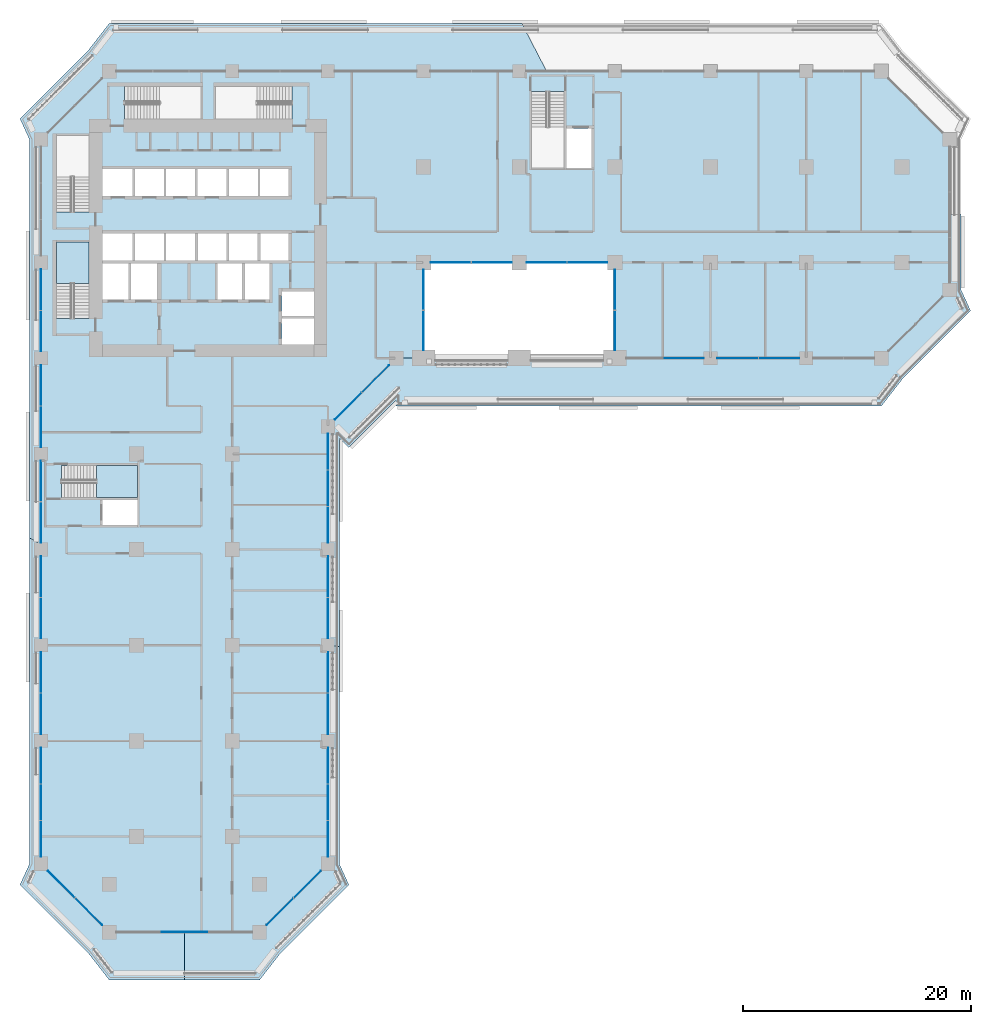
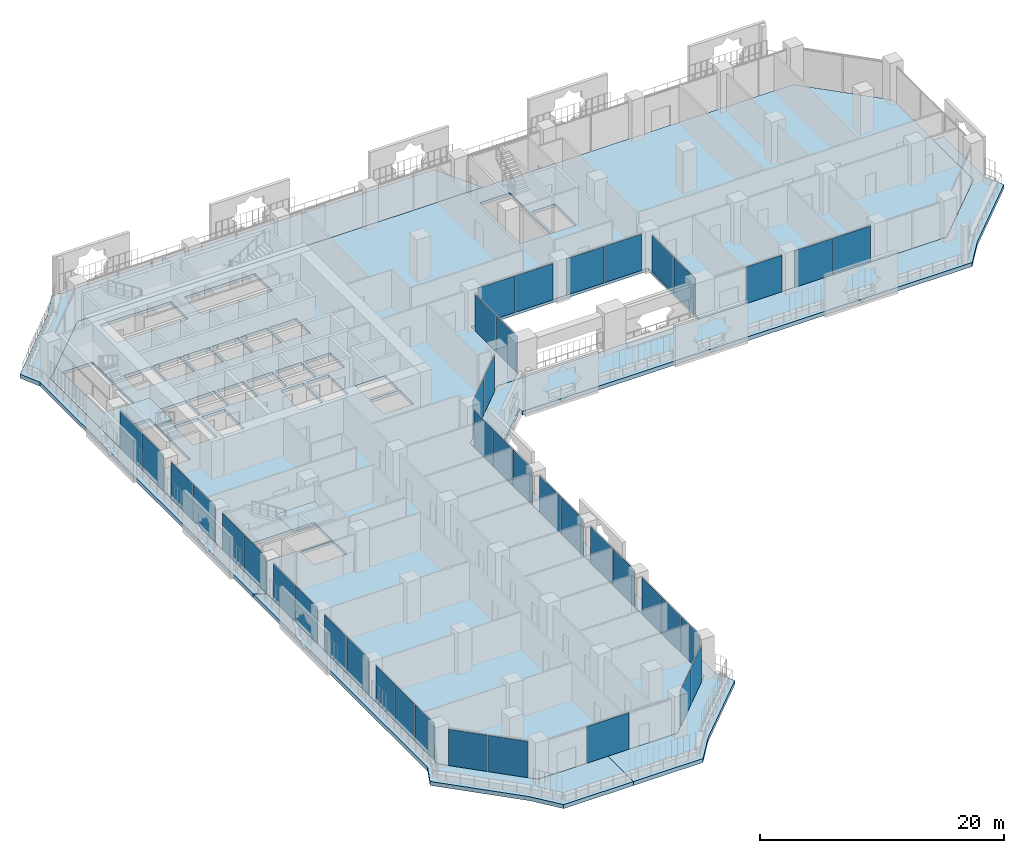
# One storey, part 11 of 28: 41 plates, 7 slabs, 12 elements without a shape of their own.
"""IFC4 building model written with IfcOpenShell, lengths in metres."""

import ifcopenshell
import ifcopenshell.guid

model = None  # the IFC model being written
_history = None  # IfcOwnerHistory: only IFC2X3 demands one
_inside = {}  # id of a spatial element -> (the spatial element, [elements in it])
_under = {}  # id of a project, library or spatial element -> (it, [spatial elements below it])
_declared = {}  # id of a project -> (the project, [libraries it declares])
_typed = {}  # id of a type object -> (the type object, [elements of that type])
_made_of = {}  # id of a material, layer set ... -> (it, [elements and type objects made of it])


def new_model(schema):
    """Start an empty IFC model of exactly this schema.

    Asked for "IFC4X3", IfcOpenShell would pick the latest addendum, in which some entities
    have other attributes; the version numbers below select the first issue.
    IFC2X3 requires an IfcOwnerHistory on every rooted entity: one is made here for all.
    """
    global model, _history
    if schema == "IFC4X3":
        model = ifcopenshell.file(schema_version=(4, 3, 0, 0))
    else:
        model = ifcopenshell.file(schema=schema)
    _inside.clear()
    _under.clear()
    _declared.clear()
    _typed.clear()
    _made_of.clear()
    _history = None
    if model.schema == "IFC2X3":
        org = make("IfcOrganization", Name="unknown")
        user = make(
            "IfcPersonAndOrganization",
            ThePerson=make("IfcPerson", FamilyName="unknown"),
            TheOrganization=org,
        )
        app = make(
            "IfcApplication",
            ApplicationDeveloper=org,
            Version="unknown",
            ApplicationFullName="unknown",
            ApplicationIdentifier="unknown",
        )
        _history = make(
            "IfcOwnerHistory",
            OwningUser=user,
            OwningApplication=app,
            ChangeAction="ADDED",
            CreationDate=0,
        )
    return model


def make(cls, **values):
    """One entity of the class cls with the attributes given. An attribute that is None is left unset."""
    return model.create_entity(
        cls, **{name: value for name, value in values.items() if value is not None}
    )


def rooted(cls, **values):
    """An entity with a GlobalId (a new one), such as an element, a storey or a relation."""
    return make(cls, GlobalId=ifcopenshell.guid.new(), OwnerHistory=_history, **values)


def si_unit(unit_type, name, prefix=None):
    """IfcSIUnit, for example si_unit("LENGTHUNIT", "METRE", prefix="MILLI")."""
    return make("IfcSIUnit", UnitType=unit_type, Prefix=prefix, Name=name)


def assignment(units):
    """IfcUnitAssignment: the units of a project."""
    return None if units is None else make("IfcUnitAssignment", Units=units)


def point(xyz):
    """IfcCartesianPoint."""
    return None if xyz is None else make("IfcCartesianPoint", Coordinates=xyz)


def direction(xyz):
    """IfcDirection."""
    return None if xyz is None else make("IfcDirection", DirectionRatios=xyz)


def frame(location, z_axis=None, x_axis=None):
    """IfcAxis2Placement3D, a coordinate frame: its origin and axes. An axis left out is left unset."""
    return make(
        "IfcAxis2Placement3D",
        Location=point(location),
        Axis=direction(z_axis),
        RefDirection=direction(x_axis),
    )


def frame_2d(location, x_axis=None):
    """IfcAxis2Placement2D, a coordinate frame in the plane: its origin and x axis."""
    return make(
        "IfcAxis2Placement2D", Location=point(location), RefDirection=direction(x_axis)
    )


def origin():
    """The frame at (0, 0, 0) with its axes left unset."""
    return frame((0.0, 0.0, 0.0))


def origin_2d():
    """The frame at (0, 0) in the plane with its x axis left unset."""
    return frame_2d((0.0, 0.0))


def place(relative_to, where):
    """IfcLocalPlacement: puts the frame where relative to a parent placement (None: the world)."""
    return make(
        "IfcLocalPlacement", PlacementRelTo=relative_to, RelativePlacement=where
    )


def context(
    kind, dimensions, precision=None, world=None, true_north=None, identifier=None
):
    """IfcGeometricRepresentationContext, for example the 3D "Model" context."""
    return make(
        "IfcGeometricRepresentationContext",
        ContextIdentifier=identifier,
        ContextType=kind,
        CoordinateSpaceDimension=dimensions,
        Precision=precision,
        WorldCoordinateSystem=world,
        TrueNorth=true_north,
    )


def subcontext(parent, identifier, kind, view, scale=None):
    """IfcGeometricRepresentationSubContext, for example "Body" below "Model"."""
    return make(
        "IfcGeometricRepresentationSubContext",
        ContextIdentifier=identifier,
        ContextType=kind,
        ParentContext=parent,
        TargetScale=scale,
        TargetView=view,
    )


def project(units=None, contexts=None):
    """IfcProject with its units and contexts."""
    return rooted(
        "IfcProject",
        Name="project",
        RepresentationContexts=contexts,
        UnitsInContext=assignment(units),
    )


def spatial(cls, under=None, at=None, **own):
    """A site, building, storey or space (cls), placed at a placement, below another one or the project."""
    s = rooted(cls, ObjectPlacement=at, **own)
    if under is not None:
        _under.setdefault(under.id(), (under, []))[1].append(s)
    return s


def polyline(points):
    """IfcPolyline through the points."""
    return make("IfcPolyline", Points=[point(p) for p in points])


def profile(cls, at=None, kind="AREA", **sizes):
    """A parametric profile (cls). Its sizes go by their IFC names, for example OverallWidth=200.0."""
    return make(cls, ProfileType=kind, Position=at, **sizes)


def rectangle(**sizes):
    """IfcRectangleProfileDef."""
    return profile("IfcRectangleProfileDef", **sizes)


def outline(outer, holes=None, kind="AREA"):
    """IfcArbitraryClosedProfileDef: a profile drawn as a closed curve; with holes, ...WithVoids."""
    if holes is None:
        return make("IfcArbitraryClosedProfileDef", ProfileType=kind, OuterCurve=outer)
    return make(
        "IfcArbitraryProfileDefWithVoids",
        ProfileType=kind,
        OuterCurve=outer,
        InnerCurves=holes,
    )


def extrude(swept, where, along, depth):
    """IfcExtrudedAreaSolid: the profile swept, set in the frame where, extruded along a direction by depth."""
    return make(
        "IfcExtrudedAreaSolid",
        SweptArea=swept,
        Position=where,
        ExtrudedDirection=direction(along),
        Depth=depth,
    )


def shape(context_of_items, identifier, shape_type, items):
    """IfcShapeRepresentation: the items that make up one representation, for example the "Body"."""
    return make(
        "IfcShapeRepresentation",
        ContextOfItems=context_of_items,
        RepresentationIdentifier=identifier,
        RepresentationType=shape_type,
        Items=items,
    )


def material(Name=None, Category=None):
    """IfcMaterial."""
    return make("IfcMaterial", Name=Name, Category=Category)


def layer(
    of_material, thickness, ventilated=None, Name=None, Category=None, Priority=None
):
    """IfcMaterialLayer: one layer of a wall or slab, of a material (None: an air gap)."""
    return make(
        "IfcMaterialLayer",
        Material=of_material,
        LayerThickness=thickness,
        IsVentilated=ventilated,
        Name=Name,
        Category=Category,
        Priority=Priority,
    )


def layer_set(layers, Name=None):
    """IfcMaterialLayerSet."""
    return make("IfcMaterialLayerSet", MaterialLayers=layers, LayerSetName=Name)


def made_of(thing, what):
    """Note that an element or type object is made of a material, layer set ...; save() writes the relation."""
    if what is not None:
        _made_of.setdefault(what.id(), (what, []))[1].append(thing)
    return thing


def type_object(cls, material=None, **own):
    """A type object (cls), such as IfcWallType, which elements share."""
    return made_of(rooted(cls, **own), material)


def element(
    cls,
    number,
    at=None,
    inside=None,
    cuts=None,
    type_object=None,
    material=None,
    context=None,
    identifier="Body",
    shape_type=None,
    held_by="IfcProductDefinitionShape",
    body=None,
    shapes=None,
    **own,
):
    """One element of the class cls, such as IfcWall. Its Tag is "e" and its number.

    at: its placement. inside: the storey or other place that contains it. cuts: it is an
    opening in that element (IfcRelVoidsElement). A single representation is given by context,
    identifier, shape_type and body (its items); several are given by shapes. held_by: the class
    of the entity that holds the representations. save() writes the other relations.
    """
    e = rooted(cls, Tag="e%d" % number, ObjectPlacement=at, **own)
    if body is not None:
        shapes = [shape(context, identifier, shape_type, body)]
    if shapes is not None:
        e.Representation = make(held_by, Representations=shapes)
    if inside is not None:
        _inside.setdefault(inside.id(), (inside, []))[1].append(e)
    if cuts is not None:
        rooted(
            "IfcRelVoidsElement", RelatingBuildingElement=cuts, RelatedOpeningElement=e
        )
    if type_object is not None:
        _typed.setdefault(type_object.id(), (type_object, []))[1].append(e)
    return made_of(e, material)


def aggregate(whole, parts):
    """IfcRelAggregates: a whole, such as a stair, and the parts it consists of."""
    return rooted("IfcRelAggregates", RelatingObject=whole, RelatedObjects=parts)


def save(model, path):
    """Write the relations noted so far, then the file.

    IfcRelAggregates (storeys below a building ...), IfcRelContainedInSpatialStructure (elements
    in a storey), IfcRelDefinesByType, IfcRelAssociatesMaterial and IfcRelDeclares: one each for
    every whole, place, type object, material and project.
    """
    for whole, parts in _under.values():
        aggregate(whole, parts)
    for where, things in _inside.values():
        rooted(
            "IfcRelContainedInSpatialStructure",
            RelatedElements=things,
            RelatingStructure=where,
        )
    for kind, things in _typed.values():
        rooted("IfcRelDefinesByType", RelatedObjects=things, RelatingType=kind)
    for what, things in _made_of.values():
        rooted("IfcRelAssociatesMaterial", RelatedObjects=things, RelatingMaterial=what)
    for by, libraries in _declared.values():
        rooted("IfcRelDeclares", RelatingContext=by, RelatedDefinitions=libraries)
    model.write(path)


model = new_model("IFC4")

# Units and contexts
model_context = context("Model", 3, precision=1e-05, world=origin(), true_north=direction((0.0, 1.0)))
body_context = subcontext(model_context, "Body", "Model", "MODEL_VIEW")
ifc_project = project(units=[si_unit("LENGTHUNIT", "METRE"), si_unit("AREAUNIT", "SQUARE_METRE"), si_unit("VOLUMEUNIT", "CUBIC_METRE"), si_unit("PLANEANGLEUNIT", "RADIAN"), si_unit("MASSUNIT", "GRAM", prefix="KILO")], contexts=[model_context])

# Site, building, storey
site_placement = place(None, origin())
site = spatial("IfcSite", under=ifc_project, at=site_placement, CompositionType="ELEMENT")
building_placement = place(site_placement, origin())
building = spatial("IfcBuilding", under=site, at=building_placement, Name="Kawkab Arch Medical Tower", CompositionType="ELEMENT")
storey_placement = place(building_placement, frame((0.0, 0.0, 47.60009765625)))
storey = spatial("IfcBuildingStorey", under=building, at=storey_placement, Name="L10", CompositionType="ELEMENT", Elevation=47.60009765625)

# Curtain wall, plates
ifc_material_1 = material(Name="Bronze anodised aluminium curtain wall frame", Category="aluminium")
ifc_layer_1 = layer(ifc_material_1, 0.159912109375)
ifc_layer_set_1 = layer_set([ifc_layer_1], Name="Bronze anodised aluminium curtain wall frame")
curtain_wall_type_1 = type_object("IfcCurtainWallType", Name="CW1 ward curtain wall", PredefinedType="NOTDEFINED", material=ifc_layer_set_1)
placement_1 = place(storey_placement, origin())
curtain_wall_1 = element("IfcCurtainWall", 1, at=placement_1, inside=storey, type_object=curtain_wall_type_1, Name="CW1 Ward curtain wall R05", PredefinedType="NOTDEFINED")
ifc_material_2 = material(Name="Tinted insulating glass, bronze low-e coating", Category="glass")
ifc_layer_2 = layer(ifc_material_2, 0.031982421875)
ifc_layer_set_2 = layer_set([ifc_layer_2], Name="Tinted insulating glass, bronze low-e coating")
plate_type_1 = type_object("IfcPlateType", Name="CW1 glazing unit 32", PredefinedType="CURTAIN_PANEL", material=ifc_layer_set_2)
plate_1_placement = place(storey_placement, frame((56.5, -25.199951171875, 0.0), z_axis=(0.0, 0.0, 1.0), x_axis=(1.0, 0.0, 0.0)))
plate_1 = element("IfcPlate", 2, at=plate_1_placement, type_object=plate_type_1, Name="CW1 glazing unit 1.2", PredefinedType="CURTAIN_PANEL", context=body_context, shape_type="SweptSolid", body=[
    extrude(rectangle(XDim=3.39990234375, YDim=0.031982421875, at=origin_2d()), origin(), (0.0, 0.0, 1.0), 3.659912109375),
])
plate_2_placement = place(storey_placement, frame((61.18505859375, -25.199951171875, 0.0), z_axis=(0.0, 0.0, 1.0), x_axis=(1.0, 0.0, 0.0)))
plate_2 = element("IfcPlate", 3, at=plate_2_placement, type_object=plate_type_1, Name="CW1 glazing unit 2.1", PredefinedType="CURTAIN_PANEL", context=body_context, shape_type="SweptSolid", body=[
    extrude(rectangle(XDim=3.570068359375, YDim=0.031982421875, at=origin_2d()), origin(), (0.0, 0.0, 1.0), 3.659912109375),
])
plate_3_placement = place(storey_placement, frame((64.81494140625, -25.199951171875, 0.0), z_axis=(0.0, 0.0, 1.0), x_axis=(1.0, 0.0, 0.0)))
plate_3 = element("IfcPlate", 4, at=plate_3_placement, type_object=plate_type_1, Name="CW1 glazing unit 2.2", PredefinedType="CURTAIN_PANEL", context=body_context, shape_type="SweptSolid", body=[
    extrude(rectangle(XDim=3.570068359375, YDim=0.031982421875, at=origin_2d()), origin(), (0.0, 0.0, 1.0), 3.659912109375),
])
aggregate(curtain_wall_1, [plate_1, plate_2, plate_3])

curtain_wall_2 = element("IfcCurtainWall", 5, at=placement_1, inside=storey, type_object=curtain_wall_type_1, Name="CW1 Ward curtain wall R11", PredefinedType="NOTDEFINED")
plate_4_placement = place(storey_placement, frame((0.0, -19.18505859375, 0.0), z_axis=(0.0, 0.0, 1.0), x_axis=(0.0, -1.0, 0.0)))
plate_4 = element("IfcPlate", 6, at=plate_4_placement, type_object=plate_type_1, Name="CW1 glazing unit 2.1", PredefinedType="CURTAIN_PANEL", context=body_context, shape_type="SweptSolid", body=[
    extrude(rectangle(XDim=3.570068359375, YDim=0.031982421875, at=origin_2d()), origin(), (0.0, 0.0, 1.0), 3.659912109375),
])
plate_5_placement = place(storey_placement, frame((0.0, -22.81494140625, 0.0), z_axis=(0.0, 0.0, 1.0), x_axis=(0.0, -1.0, 0.0)))
plate_5 = element("IfcPlate", 7, at=plate_5_placement, type_object=plate_type_1, Name="CW1 glazing unit 2.2", PredefinedType="CURTAIN_PANEL", context=body_context, shape_type="SweptSolid", body=[
    extrude(rectangle(XDim=3.570068359375, YDim=0.031982421875, at=origin_2d()), origin(), (0.0, 0.0, 1.0), 3.659912109375),
])
plate_6_placement = place(storey_placement, frame((0.0, -27.5849609375, 0.0), z_axis=(0.0, 0.0, 1.0), x_axis=(0.0, -1.0, 0.0)))
plate_6 = element("IfcPlate", 8, at=plate_6_placement, type_object=plate_type_1, Name="CW1 glazing unit 3.1", PredefinedType="CURTAIN_PANEL", context=body_context, shape_type="SweptSolid", body=[
    extrude(rectangle(XDim=3.570068359375, YDim=0.031982421875, at=origin_2d()), origin(), (0.0, 0.0, 1.0), 3.659912109375),
])
plate_7_placement = place(storey_placement, frame((0.0, -31.215087890625, 0.0), z_axis=(0.0, 0.0, 1.0), x_axis=(0.0, -1.0, 0.0)))
plate_7 = element("IfcPlate", 9, at=plate_7_placement, type_object=plate_type_1, Name="CW1 glazing unit 3.2", PredefinedType="CURTAIN_PANEL", context=body_context, shape_type="SweptSolid", body=[
    extrude(rectangle(XDim=3.570068359375, YDim=0.031982421875, at=origin_2d()), origin(), (0.0, 0.0, 1.0), 3.659912109375),
])
plate_8_placement = place(storey_placement, frame((0.0, -35.985107421875, 0.0), z_axis=(0.0, 0.0, 1.0), x_axis=(0.0, -1.0, 0.0)))
plate_8 = element("IfcPlate", 10, at=plate_8_placement, type_object=plate_type_1, Name="CW1 glazing unit 4.1", PredefinedType="CURTAIN_PANEL", context=body_context, shape_type="SweptSolid", body=[
    extrude(rectangle(XDim=3.570068359375, YDim=0.031982421875, at=origin_2d()), origin(), (0.0, 0.0, 1.0), 3.659912109375),
])
plate_9_placement = place(storey_placement, frame((0.0, -39.614990234375, 0.0), z_axis=(0.0, 0.0, 1.0), x_axis=(0.0, -1.0, 0.0)))
plate_9 = element("IfcPlate", 11, at=plate_9_placement, type_object=plate_type_1, Name="CW1 glazing unit 4.2", PredefinedType="CURTAIN_PANEL", context=body_context, shape_type="SweptSolid", body=[
    extrude(rectangle(XDim=3.570068359375, YDim=0.031982421875, at=origin_2d()), origin(), (0.0, 0.0, 1.0), 3.659912109375),
])
plate_10_placement = place(storey_placement, frame((0.0, -44.385009765625, 0.0), z_axis=(0.0, 0.0, 1.0), x_axis=(0.0, -1.0, 0.0)))
plate_10 = element("IfcPlate", 12, at=plate_10_placement, type_object=plate_type_1, Name="CW1 glazing unit 5.1", PredefinedType="CURTAIN_PANEL", context=body_context, shape_type="SweptSolid", body=[
    extrude(rectangle(XDim=3.570068359375, YDim=0.031982421875, at=origin_2d()), origin(), (0.0, 0.0, 1.0), 3.659912109375),
])
plate_11_placement = place(storey_placement, frame((0.0, -48.014892578125, 0.0), z_axis=(0.0, 0.0, 1.0), x_axis=(0.0, -1.0, 0.0)))
plate_11 = element("IfcPlate", 13, at=plate_11_placement, type_object=plate_type_1, Name="CW1 glazing unit 5.2", PredefinedType="CURTAIN_PANEL", context=body_context, shape_type="SweptSolid", body=[
    extrude(rectangle(XDim=3.570068359375, YDim=0.031982421875, at=origin_2d()), origin(), (0.0, 0.0, 1.0), 3.659912109375),
])
plate_12_placement = place(storey_placement, frame((0.0, -52.784912109375, 0.0), z_axis=(0.0, 0.0, 1.0), x_axis=(0.0, -1.0, 0.0)))
plate_12 = element("IfcPlate", 14, at=plate_12_placement, type_object=plate_type_1, Name="CW1 glazing unit 6.1", PredefinedType="CURTAIN_PANEL", context=body_context, shape_type="SweptSolid", body=[
    extrude(rectangle(XDim=3.570068359375, YDim=0.031982421875, at=origin_2d()), origin(), (0.0, 0.0, 1.0), 3.659912109375),
])
plate_13_placement = place(storey_placement, frame((0.0, -56.4150390625, 0.0), z_axis=(0.0, 0.0, 1.0), x_axis=(0.0, -1.0, 0.0)))
plate_13 = element("IfcPlate", 15, at=plate_13_placement, type_object=plate_type_1, Name="CW1 glazing unit 6.2", PredefinedType="CURTAIN_PANEL", context=body_context, shape_type="SweptSolid", body=[
    extrude(rectangle(XDim=3.570068359375, YDim=0.031982421875, at=origin_2d()), origin(), (0.0, 0.0, 1.0), 3.659912109375),
])
plate_14_placement = place(storey_placement, frame((0.0, -60.980712890625, 0.0), z_axis=(0.0, 0.0, 1.0), x_axis=(0.0, -1.0, 0.0)))
plate_14 = element("IfcPlate", 16, at=plate_14_placement, type_object=plate_type_1, Name="CW1 glazing unit 7.1", PredefinedType="CURTAIN_PANEL", context=body_context, shape_type="SweptSolid", body=[
    extrude(rectangle(XDim=3.16162109375, YDim=0.031982421875, at=origin_2d()), origin(), (0.0, 0.0, 1.0), 3.659912109375),
])
plate_15_placement = place(storey_placement, frame((0.0, -64.1875, 0.0), z_axis=(0.0, 0.0, 1.0), x_axis=(0.0, -1.0, 0.0)))
plate_15 = element("IfcPlate", 17, at=plate_15_placement, type_object=plate_type_1, Name="CW1 glazing unit 7.2", PredefinedType="CURTAIN_PANEL", context=body_context, shape_type="SweptSolid", body=[
    extrude(rectangle(XDim=3.131591796875, YDim=0.031982421875, at=origin_2d()), origin(), (0.0, 0.0, 1.0), 3.659912109375),
])
plate_16_placement = place(storey_placement, frame((0.0, -67.394287109375, 0.0), z_axis=(0.0, 0.0, 1.0), x_axis=(0.0, -1.0, 0.0)))
plate_16 = element("IfcPlate", 18, at=plate_16_placement, type_object=plate_type_1, Name="CW1 glazing unit 7.3", PredefinedType="CURTAIN_PANEL", context=body_context, shape_type="SweptSolid", body=[
    extrude(rectangle(XDim=3.16162109375, YDim=0.031982421875, at=origin_2d()), origin(), (0.0, 0.0, 1.0), 3.659912109375),
])
aggregate(curtain_wall_2, [plate_4, plate_5, plate_6, plate_7, plate_8, plate_9, plate_10, plate_11, plate_12, plate_13, plate_14, plate_15, plate_16])

# Curtain wall, plate
curtain_wall_3 = element("IfcCurtainWall", 19, at=placement_1, inside=storey, type_object=curtain_wall_type_1, Name="CW1 Ward curtain wall R13", PredefinedType="NOTDEFINED")
plate_17_placement = place(storey_placement, frame((12.60009765625, -75.60009765625, 0.0), z_axis=(0.0, 0.0, 1.0), x_axis=(1.0, 0.0, 0.0)))
plate_17 = element("IfcPlate", 20, at=plate_17_placement, type_object=plate_type_1, Name="CW1 glazing unit 1.2", PredefinedType="CURTAIN_PANEL", context=body_context, shape_type="SweptSolid", body=[
    extrude(rectangle(XDim=3.9833984375, YDim=0.031982421875, at=origin_2d()), origin(), (0.0, 0.0, 1.0), 3.659912109375),
])
aggregate(curtain_wall_3, [plate_17])

# Curtain wall, plates
curtain_wall_4 = element("IfcCurtainWall", 21, at=placement_1, inside=storey, type_object=curtain_wall_type_1, Name="CW1 Ward curtain wall R15", PredefinedType="NOTDEFINED")
plate_18_placement = place(storey_placement, frame((25.199951171875, -67.394287109375, 0.0), z_axis=(0.0, 0.0, 1.0), x_axis=(0.0, 1.0, 0.0)))
plate_18 = element("IfcPlate", 22, at=plate_18_placement, type_object=plate_type_1, Name="CW1 glazing unit 1.1", PredefinedType="CURTAIN_PANEL", context=body_context, shape_type="SweptSolid", body=[
    extrude(rectangle(XDim=3.16162109375, YDim=0.031982421875, at=origin_2d()), origin(), (0.0, 0.0, 1.0), 3.659912109375),
])
plate_19_placement = place(storey_placement, frame((25.199951171875, -64.1875, 0.0), z_axis=(0.0, 0.0, 1.0), x_axis=(0.0, 1.0, 0.0)))
plate_19 = element("IfcPlate", 23, at=plate_19_placement, type_object=plate_type_1, Name="CW1 glazing unit 1.2", PredefinedType="CURTAIN_PANEL", context=body_context, shape_type="SweptSolid", body=[
    extrude(rectangle(XDim=3.131591796875, YDim=0.031982421875, at=origin_2d()), origin(), (0.0, 0.0, 1.0), 3.659912109375),
])
plate_20_placement = place(storey_placement, frame((25.199951171875, -60.980712890625, 0.0), z_axis=(0.0, 0.0, 1.0), x_axis=(0.0, 1.0, 0.0)))
plate_20 = element("IfcPlate", 24, at=plate_20_placement, type_object=plate_type_1, Name="CW1 glazing unit 1.3", PredefinedType="CURTAIN_PANEL", context=body_context, shape_type="SweptSolid", body=[
    extrude(rectangle(XDim=3.16162109375, YDim=0.031982421875, at=origin_2d()), origin(), (0.0, 0.0, 1.0), 3.659912109375),
])
plate_21_placement = place(storey_placement, frame((25.199951171875, -56.4150390625, 0.0), z_axis=(0.0, 0.0, 1.0), x_axis=(0.0, 1.0, 0.0)))
plate_21 = element("IfcPlate", 25, at=plate_21_placement, type_object=plate_type_1, Name="CW1 glazing unit 2.1", PredefinedType="CURTAIN_PANEL", context=body_context, shape_type="SweptSolid", body=[
    extrude(rectangle(XDim=3.570068359375, YDim=0.031982421875, at=origin_2d()), origin(), (0.0, 0.0, 1.0), 3.659912109375),
])
plate_22_placement = place(storey_placement, frame((25.199951171875, -52.784912109375, 0.0), z_axis=(0.0, 0.0, 1.0), x_axis=(0.0, 1.0, 0.0)))
plate_22 = element("IfcPlate", 26, at=plate_22_placement, type_object=plate_type_1, Name="CW1 glazing unit 2.2", PredefinedType="CURTAIN_PANEL", context=body_context, shape_type="SweptSolid", body=[
    extrude(rectangle(XDim=3.570068359375, YDim=0.031982421875, at=origin_2d()), origin(), (0.0, 0.0, 1.0), 3.659912109375),
])
plate_23_placement = place(storey_placement, frame((25.199951171875, -48.014892578125, 0.0), z_axis=(0.0, 0.0, 1.0), x_axis=(0.0, 1.0, 0.0)))
plate_23 = element("IfcPlate", 27, at=plate_23_placement, type_object=plate_type_1, Name="CW1 glazing unit 3.1", PredefinedType="CURTAIN_PANEL", context=body_context, shape_type="SweptSolid", body=[
    extrude(rectangle(XDim=3.570068359375, YDim=0.031982421875, at=origin_2d()), origin(), (0.0, 0.0, 1.0), 3.659912109375),
])
plate_24_placement = place(storey_placement, frame((25.199951171875, -44.385009765625, 0.0), z_axis=(0.0, 0.0, 1.0), x_axis=(0.0, 1.0, 0.0)))
plate_24 = element("IfcPlate", 28, at=plate_24_placement, type_object=plate_type_1, Name="CW1 glazing unit 3.2", PredefinedType="CURTAIN_PANEL", context=body_context, shape_type="SweptSolid", body=[
    extrude(rectangle(XDim=3.570068359375, YDim=0.031982421875, at=origin_2d()), origin(), (0.0, 0.0, 1.0), 3.659912109375),
])
plate_25_placement = place(storey_placement, frame((25.199951171875, -39.819091796875, 0.0), z_axis=(0.0, 0.0, 1.0), x_axis=(0.0, 1.0, 0.0)))
plate_25 = element("IfcPlate", 29, at=plate_25_placement, type_object=plate_type_1, Name="CW1 glazing unit 4.1", PredefinedType="CURTAIN_PANEL", context=body_context, shape_type="SweptSolid", body=[
    extrude(rectangle(XDim=3.16162109375, YDim=0.031982421875, at=origin_2d()), origin(), (0.0, 0.0, 1.0), 3.659912109375),
])
plate_26_placement = place(storey_placement, frame((25.199951171875, -36.612548828125, 0.0), z_axis=(0.0, 0.0, 1.0), x_axis=(0.0, 1.0, 0.0)))
plate_26 = element("IfcPlate", 30, at=plate_26_placement, type_object=plate_type_1, Name="CW1 glazing unit 4.2", PredefinedType="CURTAIN_PANEL", context=body_context, shape_type="SweptSolid", body=[
    extrude(rectangle(XDim=3.131591796875, YDim=0.031982421875, at=origin_2d()), origin(), (0.0, 0.0, 1.0), 3.659912109375),
])
plate_27_placement = place(storey_placement, frame((25.199951171875, -33.40576171875, 0.0), z_axis=(0.0, 0.0, 1.0), x_axis=(0.0, 1.0, 0.0)))
plate_27 = element("IfcPlate", 31, at=plate_27_placement, type_object=plate_type_1, Name="CW1 glazing unit 4.3", PredefinedType="CURTAIN_PANEL", context=body_context, shape_type="SweptSolid", body=[
    extrude(rectangle(XDim=3.16162109375, YDim=0.031982421875, at=origin_2d()), origin(), (0.0, 0.0, 1.0), 3.659912109375),
])
aggregate(curtain_wall_4, [plate_18, plate_19, plate_20, plate_21, plate_22, plate_23, plate_24, plate_25, plate_26, plate_27])

ifc_material_3 = material(Name="Bronze anodised aluminium curtain wall frame", Category="aluminium")
ifc_layer_3 = layer(ifc_material_3, 0.159912109375)
ifc_layer_set_3 = layer_set([ifc_layer_3], Name="Bronze anodised aluminium curtain wall frame")
curtain_wall_type_2 = type_object("IfcCurtainWallType", Name="CW2 chamfer curtain wall", PredefinedType="NOTDEFINED", material=ifc_layer_set_3)
curtain_wall_5 = element("IfcCurtainWall", 32, at=placement_1, inside=storey, type_object=curtain_wall_type_2, Name="CW2 Chamfer curtain wall R12", PredefinedType="NOTDEFINED")
ifc_material_4 = material(Name="Tinted insulating glass, bronze low-e coating", Category="glass")
ifc_layer_4 = layer(ifc_material_4, 0.031982421875)
ifc_layer_set_4 = layer_set([ifc_layer_4], Name="Tinted insulating glass, bronze low-e coating")
plate_type_2 = type_object("IfcPlateType", Name="CW2 glazing unit 32", PredefinedType="CURTAIN_PANEL", material=ifc_layer_set_4)
plate_28_placement = place(storey_placement, frame((1.802001953125, -71.40185546875, 0.0), z_axis=(0.0, 0.0, 1.0), x_axis=(0.707106781187, -0.707106781187, 0.0)))
plate_28 = element("IfcPlate", 33, at=plate_28_placement, type_object=plate_type_2, Name="CW2 glazing unit 1.1", PredefinedType="CURTAIN_PANEL", context=body_context, shape_type="SweptSolid", body=[
    extrude(rectangle(XDim=3.328857421875, YDim=0.031982421875, at=origin_2d()), origin(), (0.0, 0.0, 1.0), 3.639892578125),
])
plate_29_placement = place(storey_placement, frame((4.197998046875, -73.798095703125, 0.0), z_axis=(0.0, 0.0, 1.0), x_axis=(0.707106781187, -0.707106781187, 0.0)))
plate_29 = element("IfcPlate", 34, at=plate_29_placement, type_object=plate_type_2, Name="CW2 glazing unit 1.2", PredefinedType="CURTAIN_PANEL", context=body_context, shape_type="SweptSolid", body=[
    extrude(rectangle(XDim=3.328857421875, YDim=0.031982421875, at=origin_2d()), origin(), (0.0, 0.0, 1.0), 3.639892578125),
])
aggregate(curtain_wall_5, [plate_28, plate_29])

curtain_wall_6 = element("IfcCurtainWall", 35, at=placement_1, inside=storey, type_object=curtain_wall_type_2, Name="CW2 Chamfer curtain wall R14", PredefinedType="NOTDEFINED")
plate_30_placement = place(storey_placement, frame((21.001953125, -73.798095703125, 0.0), z_axis=(0.0, 0.0, 1.0), x_axis=(0.707106781187, 0.707106781187, 0.0)))
plate_30 = element("IfcPlate", 36, at=plate_30_placement, type_object=plate_type_2, Name="CW2 glazing unit 1.1", PredefinedType="CURTAIN_PANEL", context=body_context, shape_type="SweptSolid", body=[
    extrude(rectangle(XDim=3.328857421875, YDim=0.031982421875, at=origin_2d()), origin(), (0.0, 0.0, 1.0), 3.639892578125),
])
plate_31_placement = place(storey_placement, frame((23.398193359375, -71.40185546875, 0.0), z_axis=(0.0, 0.0, 1.0), x_axis=(0.707106781187, 0.707106781187, 0.0)))
plate_31 = element("IfcPlate", 37, at=plate_31_placement, type_object=plate_type_2, Name="CW2 glazing unit 1.2", PredefinedType="CURTAIN_PANEL", context=body_context, shape_type="SweptSolid", body=[
    extrude(rectangle(XDim=3.328857421875, YDim=0.031982421875, at=origin_2d()), origin(), (0.0, 0.0, 1.0), 3.639892578125),
])
aggregate(curtain_wall_6, [plate_30, plate_31])

curtain_wall_7 = element("IfcCurtainWall", 38, at=placement_1, inside=storey, type_object=curtain_wall_type_2, Name="CW2 Chamfer curtain wall R16", PredefinedType="NOTDEFINED")
plate_32_placement = place(storey_placement, frame((27.001953125, -29.398193359375, 0.0), z_axis=(0.0, 0.0, 1.0), x_axis=(0.707106781187, 0.707106781187, 0.0)))
plate_32 = element("IfcPlate", 39, at=plate_32_placement, type_object=plate_type_2, Name="CW2 glazing unit 1.1", PredefinedType="CURTAIN_PANEL", context=body_context, shape_type="SweptSolid", body=[
    extrude(rectangle(XDim=3.328857421875, YDim=0.031982421875, at=origin_2d()), origin(), (0.0, 0.0, 1.0), 3.639892578125),
])
plate_33_placement = place(storey_placement, frame((29.398193359375, -27.001953125, 0.0), z_axis=(0.0, 0.0, 1.0), x_axis=(0.707106781187, 0.707106781187, 0.0)))
plate_33 = element("IfcPlate", 40, at=plate_33_placement, type_object=plate_type_2, Name="CW2 glazing unit 1.2", PredefinedType="CURTAIN_PANEL", context=body_context, shape_type="SweptSolid", body=[
    extrude(rectangle(XDim=3.328857421875, YDim=0.031982421875, at=origin_2d()), origin(), (0.0, 0.0, 1.0), 3.639892578125),
])
aggregate(curtain_wall_7, [plate_32, plate_33])

ifc_material_5 = material(Name="Bronze anodised aluminium curtain wall frame", Category="aluminium")
ifc_layer_5 = layer(ifc_material_5, 0.159912109375)
ifc_layer_set_5 = layer_set([ifc_layer_5], Name="Bronze anodised aluminium curtain wall frame")
curtain_wall_type_3 = type_object("IfcCurtainWallType", Name="CW3 sky garden curtain wall", PredefinedType="NOTDEFINED", material=ifc_layer_set_5)
curtain_wall_8 = element("IfcCurtainWall", 41, at=placement_1, inside=storey, type_object=curtain_wall_type_3, Name="CW3 Sky garden curtain wall R02", PredefinedType="NOTDEFINED")
ifc_material_6 = material(Name="Tinted laminated insulating glass, grey-green", Category="glass")
ifc_layer_6 = layer(ifc_material_6, 0.035888671875)
ifc_layer_set_6 = layer_set([ifc_layer_6], Name="Tinted laminated insulating glass, grey-green")
plate_type_3 = type_object("IfcPlateType", Name="CW3 glazing unit 36", PredefinedType="CURTAIN_PANEL", material=ifc_layer_set_6)
plate_34_placement = place(storey_placement, frame((33.60009765625, -22.7548828125, 0.0), z_axis=(0.0, 0.0, 1.0), x_axis=(0.0, 1.0, 0.0)))
plate_34 = element("IfcPlate", 42, at=plate_34_placement, type_object=plate_type_3, Name="CW3 glazing unit 1.1", PredefinedType="CURTAIN_PANEL", context=body_context, shape_type="SweptSolid", body=[
    extrude(rectangle(XDim=3.489990234375, YDim=0.035888671875, at=origin_2d()), origin(), (0.0, 0.0, 1.0), 3.639892578125),
])
plate_35_placement = place(storey_placement, frame((33.60009765625, -19.195068359375, 0.0), z_axis=(0.0, 0.0, 1.0), x_axis=(0.0, 1.0, 0.0)))
plate_35 = element("IfcPlate", 43, at=plate_35_placement, type_object=plate_type_3, Name="CW3 glazing unit 1.2", PredefinedType="CURTAIN_PANEL", context=body_context, shape_type="SweptSolid", body=[
    extrude(rectangle(XDim=3.489990234375, YDim=0.035888671875, at=origin_2d()), origin(), (0.0, 0.0, 1.0), 3.639892578125),
])
aggregate(curtain_wall_8, [plate_34, plate_35])

curtain_wall_9 = element("IfcCurtainWall", 44, at=placement_1, inside=storey, type_object=curtain_wall_type_3, Name="CW3 Sky garden curtain wall R03", PredefinedType="NOTDEFINED")
plate_36_placement = place(storey_placement, frame((36.007568359375, -16.800048828125, 0.0), z_axis=(0.0, 0.0, 1.0), x_axis=(1.0, 0.0, 0.0)))
plate_36 = element("IfcPlate", 45, at=plate_36_placement, type_object=plate_type_3, Name="CW3 glazing unit 1.1", PredefinedType="CURTAIN_PANEL", context=body_context, shape_type="SweptSolid", body=[
    extrude(rectangle(XDim=3.514892578125, YDim=0.035888671875, at=origin_2d()), origin(), (0.0, 0.0, 1.0), 3.639892578125),
])
plate_37_placement = place(storey_placement, frame((39.592529296875, -16.800048828125, 0.0), z_axis=(0.0, 0.0, 1.0), x_axis=(1.0, 0.0, 0.0)))
plate_37 = element("IfcPlate", 46, at=plate_37_placement, type_object=plate_type_3, Name="CW3 glazing unit 1.2", PredefinedType="CURTAIN_PANEL", context=body_context, shape_type="SweptSolid", body=[
    extrude(rectangle(XDim=3.514892578125, YDim=0.035888671875, at=origin_2d()), origin(), (0.0, 0.0, 1.0), 3.639892578125),
])
plate_38_placement = place(storey_placement, frame((44.407470703125, -16.800048828125, 0.0), z_axis=(0.0, 0.0, 1.0), x_axis=(1.0, 0.0, 0.0)))
plate_38 = element("IfcPlate", 47, at=plate_38_placement, type_object=plate_type_3, Name="CW3 glazing unit 2.1", PredefinedType="CURTAIN_PANEL", context=body_context, shape_type="SweptSolid", body=[
    extrude(rectangle(XDim=3.514892578125, YDim=0.035888671875, at=origin_2d()), origin(), (0.0, 0.0, 1.0), 3.639892578125),
])
plate_39_placement = place(storey_placement, frame((47.992431640625, -16.800048828125, 0.0), z_axis=(0.0, 0.0, 1.0), x_axis=(1.0, 0.0, 0.0)))
plate_39 = element("IfcPlate", 48, at=plate_39_placement, type_object=plate_type_3, Name="CW3 glazing unit 2.2", PredefinedType="CURTAIN_PANEL", context=body_context, shape_type="SweptSolid", body=[
    extrude(rectangle(XDim=3.514892578125, YDim=0.035888671875, at=origin_2d()), origin(), (0.0, 0.0, 1.0), 3.639892578125),
])
aggregate(curtain_wall_9, [plate_36, plate_37, plate_38, plate_39])

curtain_wall_10 = element("IfcCurtainWall", 49, at=placement_1, inside=storey, type_object=curtain_wall_type_3, Name="CW3 Sky garden curtain wall R04", PredefinedType="NOTDEFINED")
plate_40_placement = place(storey_placement, frame((50.39990234375, -19.195068359375, 0.0), z_axis=(0.0, 0.0, 1.0), x_axis=(0.0, -1.0, 0.0)))
plate_40 = element("IfcPlate", 50, at=plate_40_placement, type_object=plate_type_3, Name="CW3 glazing unit 1.1", PredefinedType="CURTAIN_PANEL", context=body_context, shape_type="SweptSolid", body=[
    extrude(rectangle(XDim=3.489990234375, YDim=0.035888671875, at=origin_2d()), origin(), (0.0, 0.0, 1.0), 3.639892578125),
])
plate_41_placement = place(storey_placement, frame((50.39990234375, -22.7548828125, 0.0), z_axis=(0.0, 0.0, 1.0), x_axis=(0.0, -1.0, 0.0)))
plate_41 = element("IfcPlate", 51, at=plate_41_placement, type_object=plate_type_3, Name="CW3 glazing unit 1.2", PredefinedType="CURTAIN_PANEL", context=body_context, shape_type="SweptSolid", body=[
    extrude(rectangle(XDim=3.489990234375, YDim=0.035888671875, at=origin_2d()), origin(), (0.0, 0.0, 1.0), 3.639892578125),
])
aggregate(curtain_wall_10, [plate_40, plate_41])

# Stair, slab
ifc_material_7 = material(Name="Concrete C40/50", Category="concrete")
stair_type = type_object("IfcStairType", Name="Exit stair 1350", PredefinedType="HALF_TURN_STAIR", material=ifc_material_7)
stair_1 = element("IfcStair", 52, at=placement_1, inside=storey, type_object=stair_type, Name="L10 Exit stair ST2", PredefinedType="HALF_TURN_STAIR")
ifc_material_8 = material(Name="Concrete C40/50", Category="concrete")
ifc_layer_7 = layer(ifc_material_8, 0.199951171875)
ifc_layer_set_7 = layer_set([ifc_layer_7], Name="Concrete C40/50")
slab_type_1 = type_object("IfcSlabType", Name="Exit stair landing 200", PredefinedType="LANDING", material=ifc_layer_set_7)
placement_2 = place(storey_placement, frame((0.0, 0.0, 1.89990234375)))
slab_1 = element("IfcSlab", 53, at=placement_2, type_object=slab_type_1, Name="ST2 landing 1", PredefinedType="LANDING", context=body_context, shape_type="SweptSolid", body=[
    extrude(outline(polyline([(4.199951171875, -18.6201171875), (4.199951171875, -15.0), (1.35009765625, -15.0), (1.35009765625, -18.6201171875), (4.199951171875, -18.6201171875)])), origin(), (0.0, 0.0, 1.0), 0.199951171875),
])
aggregate(stair_1, [slab_1])

stair_2 = element("IfcStair", 54, at=placement_1, inside=storey, type_object=stair_type, Name="L10 Exit stair ST6", PredefinedType="HALF_TURN_STAIR")
slab_2 = element("IfcSlab", 55, at=placement_2, type_object=slab_type_1, Name="ST6 landing 1", PredefinedType="LANDING", context=body_context, shape_type="SweptSolid", body=[
    extrude(outline(polyline([(4.8798828125, -37.449951171875), (8.5, -37.449951171875), (8.5, -34.60009765625), (4.8798828125, -34.60009765625), (4.8798828125, -37.449951171875)])), origin(), (0.0, 0.0, 1.0), 0.199951171875),
])
aggregate(stair_2, [slab_2])

# Slabs
ifc_material_9 = material(Name="Concrete C40/50", Category="concrete")
ifc_layer_8 = layer(ifc_material_9, 0.300048828125)
ifc_layer_set_8 = layer_set([ifc_layer_8], Name="Concrete C40/50")
slab_type_2 = type_object("IfcSlabType", Name="Flat plate 300 C40/50", PredefinedType="FLOOR", material=ifc_layer_set_8)
slab_3_placement = place(storey_placement, frame((0.0, 0.0, -0.300048828125)))
element("IfcSlab", 56, at=slab_3_placement, inside=storey, type_object=slab_type_2, Name="Floor slab L10", PredefinedType="FLOOR", context=body_context, shape_type="SweptSolid", body=[
    extrude(outline(polyline([(25.199951171875, -31.199951171875), (25.199951171875, -69.60009765625), (19.199951171875, -75.60009765625), (6.0, -75.60009765625), (0.0, -69.60009765625), (0.0, -6.0), (6.0, 0.0), (73.800048828125, 0.0), (79.800048828125, -6.0), (79.800048828125, -19.199951171875), (73.800048828125, -25.199951171875), (50.39990234375, -25.199951171875), (50.39990234375, -16.800048828125), (33.60009765625, -16.800048828125), (33.60009765625, -25.199951171875), (31.199951171875, -25.199951171875), (25.199951171875, -31.199951171875)]), holes=[polyline([(5.425048828125, -37.64990234375), (5.425048828125, -39.85009765625), (8.5, -39.85009765625), (8.5, -37.64990234375), (5.425048828125, -37.64990234375)]), polyline([(1.800048828125, -37.449951171875), (8.5, -37.449951171875), (8.5, -34.60009765625), (1.800048828125, -34.60009765625), (1.800048828125, -37.449951171875)]), polyline([(5.39990234375, -16.89990234375), (5.39990234375, -20.050048828125), (7.675048828125, -20.050048828125), (7.675048828125, -16.89990234375), (5.39990234375, -16.89990234375)]), polyline([(10.199951171875, -16.89990234375), (7.925048828125, -16.89990234375), (7.925048828125, -20.050048828125), (10.199951171875, -20.050048828125), (10.199951171875, -16.89990234375)]), polyline([(4.199951171875, -21.699951171875), (4.199951171875, -15.0), (1.35009765625, -15.0), (1.35009765625, -21.699951171875), (4.199951171875, -21.699951171875)]), polyline([(5.39990234375, -14.25), (5.39990234375, -16.60009765625), (8.050048828125, -16.60009765625), (8.050048828125, -14.25), (5.39990234375, -14.25)]), polyline([(8.25, -16.60009765625), (10.800048828125, -16.60009765625), (10.800048828125, -14.25), (8.25, -14.25), (8.25, -16.60009765625)]), polyline([(13.52490234375, -14.25), (11.0, -14.25), (11.0, -16.60009765625), (13.52490234375, -16.60009765625), (13.52490234375, -14.25)]), polyline([(5.39990234375, -8.60009765625), (5.39990234375, -10.949951171875), (8.050048828125, -10.949951171875), (8.050048828125, -8.60009765625), (5.39990234375, -8.60009765625)]), polyline([(8.25, -10.949951171875), (10.800048828125, -10.949951171875), (10.800048828125, -8.60009765625), (8.25, -8.60009765625), (8.25, -10.949951171875)]), polyline([(11.0, -8.60009765625), (11.0, -10.949951171875), (13.550048828125, -10.949951171875), (13.550048828125, -8.60009765625), (11.0, -8.60009765625)]), polyline([(4.199951171875, -12.35009765625), (4.199951171875, -5.64990234375), (1.35009765625, -5.64990234375), (1.35009765625, -12.35009765625), (4.199951171875, -12.35009765625)]), polyline([(7.35009765625, -4.199951171875), (14.050048828125, -4.199951171875), (14.050048828125, -1.35009765625), (7.35009765625, -1.35009765625), (7.35009765625, -4.199951171875)]), polyline([(24.0, -21.72509765625), (21.14990234375, -21.72509765625), (21.14990234375, -24.0), (24.0, -24.0), (24.0, -21.72509765625)]), polyline([(24.0, -21.47509765625), (24.0, -19.35009765625), (21.14990234375, -19.35009765625), (21.14990234375, -21.47509765625), (24.0, -21.47509765625)]), polyline([(15.52490234375, -16.89990234375), (15.52490234375, -20.050048828125), (17.675048828125, -20.050048828125), (17.675048828125, -16.89990234375), (15.52490234375, -16.89990234375)]), polyline([(20.050048828125, -20.050048828125), (20.050048828125, -16.89990234375), (17.925048828125, -16.89990234375), (17.925048828125, -20.050048828125), (20.050048828125, -20.050048828125)]), polyline([(16.27490234375, -14.25), (13.77490234375, -14.25), (13.77490234375, -16.60009765625), (16.27490234375, -16.60009765625), (16.27490234375, -14.25)]), polyline([(16.52490234375, -16.60009765625), (19.02490234375, -16.60009765625), (19.02490234375, -14.25), (16.52490234375, -14.25), (16.52490234375, -16.60009765625)]), polyline([(19.27490234375, -16.60009765625), (21.75, -16.60009765625), (21.75, -14.25), (19.27490234375, -14.25), (19.27490234375, -16.60009765625)]), polyline([(13.75, -8.60009765625), (13.75, -10.949951171875), (16.300048828125, -10.949951171875), (16.300048828125, -8.60009765625), (13.75, -8.60009765625)]), polyline([(19.050048828125, -10.949951171875), (19.050048828125, -8.60009765625), (16.5, -8.60009765625), (16.5, -10.949951171875), (19.050048828125, -10.949951171875)]), polyline([(19.25, -10.949951171875), (21.75, -10.949951171875), (21.75, -8.60009765625), (19.25, -8.60009765625), (19.25, -10.949951171875)]), polyline([(46.14990234375, -5.02490234375), (46.14990234375, -8.5), (48.35009765625, -8.5), (48.35009765625, -5.02490234375), (46.14990234375, -5.02490234375)]), polyline([(43.10009765625, -1.800048828125), (43.10009765625, -8.5), (45.949951171875, -8.5), (45.949951171875, -1.800048828125), (43.10009765625, -1.800048828125)]), polyline([(22.050048828125, -1.35009765625), (15.35009765625, -1.35009765625), (15.35009765625, -4.199951171875), (22.050048828125, -4.199951171875), (22.050048828125, -1.35009765625)])]), origin(), (0.0, 0.0, 1.0), 0.300048828125),
])
ifc_material_10 = material(Name="Concrete C40/50", Category="concrete")
ifc_layer_9 = layer(ifc_material_10, 0.39990234375)
ifc_layer_set_9 = layer_set([ifc_layer_9], Name="Concrete C40/50")
slab_type_3 = type_object("IfcSlabType", Name="Loggia slab 400", PredefinedType="FLOOR", material=ifc_layer_set_9)
placement_3 = place(storey_placement, frame((0.0, 0.0, -0.400146484375)))
element("IfcSlab", 57, at=placement_3, inside=storey, type_object=slab_type_3, Name="Loggia slab L10.1", PredefinedType="FLOOR", context=body_context, shape_type="SweptSolid", body=[
    extrude(outline(polyline([(19.199951171875, -79.800048828125), (12.60009765625, -79.800048828125), (12.60009765625, -75.60009765625), (19.199951171875, -75.60009765625), (25.199951171875, -69.60009765625), (25.199951171875, -50.39990234375), (26.199951171875, -50.534912109375), (26.199951171875, -69.60009765625), (27.0380859375, -71.43798828125), (21.0380859375, -77.43798828125), (19.199951171875, -79.800048828125)])), origin(), (0.0, 0.0, 1.0), 0.400146484375),
])
element("IfcSlab", 58, at=placement_3, inside=storey, type_object=slab_type_3, Name="Loggia slab L10.2", PredefinedType="FLOOR", context=body_context, shape_type="SweptSolid", body=[
    extrude(outline(polyline([(4.162109375, -77.43798828125), (-1.837890625, -71.43798828125), (-1.0, -69.60009765625), (-1.0, -40.97900390625), (-0.0009765625, -41.5458984375), (-0.0009765625, -69.60009765625), (0.0, -69.60009765625), (6.0, -75.60009765625), (12.60009765625, -75.60009765625), (12.60009765625, -79.800048828125), (6.0, -79.800048828125), (4.162109375, -77.43798828125)])), origin(), (0.0, 0.0, 1.0), 0.400146484375),
])
element("IfcSlab", 59, at=placement_3, inside=storey, type_object=slab_type_3, Name="Loggia slab L10.4", PredefinedType="FLOOR", context=body_context, shape_type="SweptSolid", body=[
    extrude(outline(polyline([(25.200927734375, -50.39990234375), (25.200927734375, -50.39892578125), (25.199951171875, -50.39892578125), (25.199951171875, -31.200927734375), (31.200927734375, -25.199951171875), (73.800048828125, -25.199951171875), (79.800048828125, -19.199951171875), (79.800048828125, -12.60107421875), (79.801025390625, -12.60107421875), (79.801025390625, -12.60009765625), (80.799072265625, -12.60009765625), (80.799072265625, -12.60107421875), (80.800048828125, -12.60107421875), (80.800048828125, -19.199951171875), (81.637939453125, -21.037109375), (75.637939453125, -27.0380859375), (73.801025390625, -29.39892578125), (73.799072265625, -29.39892578125), (73.799072265625, -29.39990234375), (31.200927734375, -29.39990234375), (31.200927734375, -29.39892578125), (31.199951171875, -29.39892578125), (31.199951171875, -28.8759765625), (27.0380859375, -33.035888671875), (26.199951171875, -32.198974609375), (26.199951171875, -50.533935546875), (26.198974609375, -50.533935546875), (26.198974609375, -50.534912109375), (25.200927734375, -50.39990234375)])), origin(), (0.0, 0.0, 1.0), 0.400146484375),
])
element("IfcSlab", 60, at=placement_3, inside=storey, type_object=slab_type_3, Name="Loggia slab L10.5", PredefinedType="FLOOR", context=body_context, shape_type="SweptSolid", body=[
    extrude(outline(polyline([(4.162109375, 1.837890625), (6.0, 4.199951171875), (35.39990234375, 4.199951171875), (42.23291015625, 4.199951171875), (44.409912109375, 0.0009765625), (31.200927734375, 0.0009765625), (6.0, 0.0009765625), (6.0, 0.0), (0.0, -6.0), (-0.0009765625, -6.0), (-0.0009765625, -41.544921875), (-1.0, -40.97802734375), (-1.0, -6.0), (-1.837890625, -4.162109375), (4.162109375, 1.837890625)])), origin(), (0.0, 0.0, 1.0), 0.400146484375),
])

save(model, "model.ifc")
